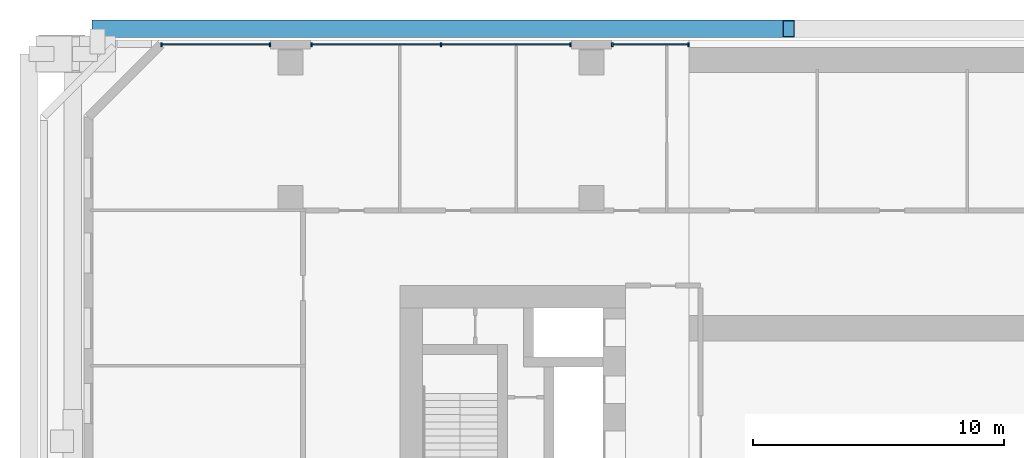
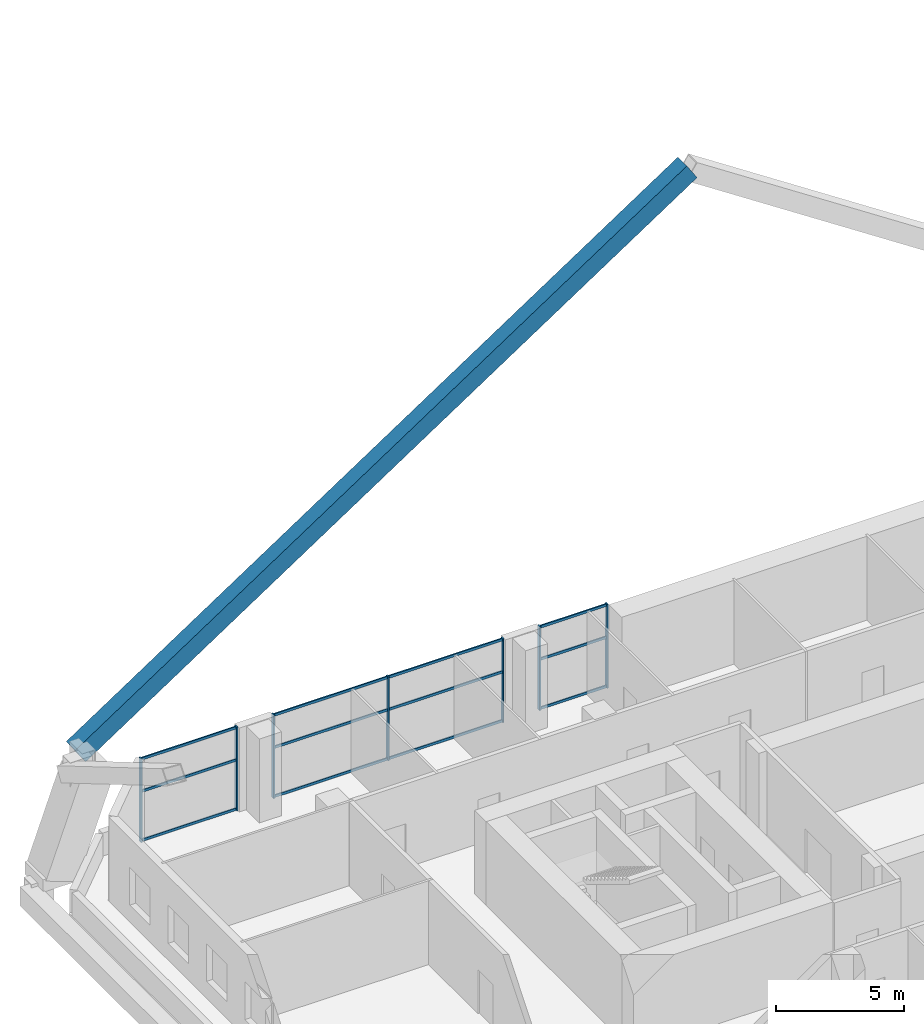
# One storey, part 7 of 25: 20 members, 3 elements without a shape of their own.
"""IFC4 building model written with IfcOpenShell, lengths in metres."""

from ifc_helpers import new_model, si_unit, direction, frame, origin, origin_2d, place, context, subcontext, project, spatial, rectangle, hollow_rectangle, extrude, material, material_profile, profile_set, type_object, element, aggregate, save


model = new_model("IFC4")

# Units and contexts
model_context = context("Model", 3, precision=1e-05, world=origin(), true_north=direction((0.0, 1.0)))
body_context = subcontext(model_context, "Body", "Model", "MODEL_VIEW")
ifc_project = project(units=[si_unit("LENGTHUNIT", "METRE"), si_unit("AREAUNIT", "SQUARE_METRE"), si_unit("VOLUMEUNIT", "CUBIC_METRE"), si_unit("PLANEANGLEUNIT", "RADIAN"), si_unit("MASSUNIT", "GRAM", prefix="KILO")], contexts=[model_context])

# Site, building, storey
site_placement = place(None, origin())
site = spatial("IfcSite", under=ifc_project, at=site_placement, CompositionType="ELEMENT")
building_placement = place(site_placement, origin())
building = spatial("IfcBuilding", under=site, at=building_placement, Name="Tuart Gate Housing", CompositionType="ELEMENT")
storey_placement = place(building_placement, frame((0.0, 0.0, 14.699951171875)))
storey = spatial("IfcBuildingStorey", under=building, at=storey_placement, Name="L03", CompositionType="ELEMENT", Elevation=14.699951171875)

# Member
ifc_material_1 = material(Name="Steel Grade 350", Category="steel")
ifc_material_profile_1 = material_profile(ifc_material_1, hollow_rectangle(XDim=0.699951171875, YDim=0.85009765625, WallThickness=0.0419921875, at=origin_2d()), Name="BOX 850x700x42")
ifc_profile_set_1 = profile_set([ifc_material_profile_1], Name="Steel Grade 350")
member_type_1 = type_object("IfcMemberType", Name="Mega brace BOX 850x700x42", PredefinedType="BRACE", material=ifc_profile_set_1)
member_1_placement = place(storey_placement, frame((20.300048828125, 86.449951171875, 4.800048828125), z_axis=(0.83460268013, 0.0, 0.550852399759), x_axis=(0.0, 1.0, 0.0)))
element("IfcMember", 1, at=member_1_placement, inside=storey, type_object=member_type_1, Name="Mega brace A zone 1 north chevron 1", PredefinedType="BRACE", context=body_context, shape_type="SweptSolid", body=[
    extrude(hollow_rectangle(XDim=0.699951171875, YDim=0.85009765625, WallThickness=0.0419921875, at=origin_2d()), origin(), (0.0, 0.0, 1.0), 33.03955078125),
])

# Curtain wall, members
ifc_material_2 = material(Name="Aluminium and clear glass", Category="aluminium")
curtain_wall_type = type_object("IfcCurtainWallType", Name="Community floor glazing", PredefinedType="USERDEFINED", material=ifc_material_2)
curtain_wall_1_placement = place(storey_placement, origin())
curtain_wall_1 = element("IfcCurtainWall", 2, at=curtain_wall_1_placement, inside=storey, type_object=curtain_wall_type, Name="Community floor glazing A-N L03", ObjectType="COMMUNITY FLOOR GLAZING", PredefinedType="USERDEFINED")
ifc_material_3 = material(Name="Anodised aluminium", Category="aluminium")
ifc_material_profile_2 = material_profile(ifc_material_3, rectangle(XDim=0.06005859375, YDim=0.159912109375, at=origin_2d()), Name="60x160")
ifc_profile_set_2 = profile_set([ifc_material_profile_2], Name="Anodised aluminium")
member_type_2 = type_object("IfcMemberType", Name="Mullion 60 x 160", PredefinedType="MULLION", material=ifc_profile_set_2)
member_2_placement = place(storey_placement, frame((43.8701171875, 85.820068359375, 0.0), z_axis=(0.0, 0.0, 1.0), x_axis=(-1.0, 0.0, 0.0)))
member_2 = element("IfcMember", 3, at=member_2_placement, type_object=member_type_2, Name="CW3 mullion 1", PredefinedType="MULLION", context=body_context, shape_type="SweptSolid", body=[
    extrude(rectangle(XDim=0.06005859375, YDim=0.159912109375, at=origin_2d()), origin(), (0.0, 0.0, 1.0), 4.0),
])
member_3_placement = place(storey_placement, frame((40.830078125, 85.820068359375, 0.0), z_axis=(0.0, 0.0, 1.0), x_axis=(-1.0, 0.0, 0.0)))
member_3 = element("IfcMember", 4, at=member_3_placement, type_object=member_type_2, Name="CW3 mullion 2", PredefinedType="MULLION", context=body_context, shape_type="SweptSolid", body=[
    extrude(rectangle(XDim=0.06005859375, YDim=0.159912109375, at=origin_2d()), origin(), (0.0, 0.0, 1.0), 4.0),
])

curtain_wall_2_placement = place(storey_placement, origin())
curtain_wall_2 = element("IfcCurtainWall", 5, at=curtain_wall_2_placement, inside=storey, type_object=curtain_wall_type, Name="Community floor glazing A-N L03", ObjectType="COMMUNITY FLOOR GLAZING", PredefinedType="USERDEFINED")
member_4_placement = place(storey_placement, frame((39.169921875, 85.820068359375, 0.0), z_axis=(0.0, 0.0, 1.0), x_axis=(-1.0, 0.0, 0.0)))
member_4 = element("IfcMember", 6, at=member_4_placement, type_object=member_type_2, Name="CW3 mullion 1", PredefinedType="MULLION", context=body_context, shape_type="SweptSolid", body=[
    extrude(rectangle(XDim=0.06005859375, YDim=0.159912109375, at=origin_2d()), origin(), (0.0, 0.0, 1.0), 4.0),
])
member_5_placement = place(storey_placement, frame((34.0, 85.820068359375, 0.0), z_axis=(0.0, 0.0, 1.0), x_axis=(-1.0, 0.0, 0.0)))
member_5 = element("IfcMember", 7, at=member_5_placement, type_object=member_type_2, Name="CW3 mullion 2", PredefinedType="MULLION", context=body_context, shape_type="SweptSolid", body=[
    extrude(rectangle(XDim=0.06005859375, YDim=0.159912109375, at=origin_2d()), origin(), (0.0, 0.0, 1.0), 4.0),
])
member_6_placement = place(storey_placement, frame((28.830078125, 85.820068359375, 0.0), z_axis=(0.0, 0.0, 1.0), x_axis=(-1.0, 0.0, 0.0)))
member_6 = element("IfcMember", 8, at=member_6_placement, type_object=member_type_2, Name="CW3 mullion 3", PredefinedType="MULLION", context=body_context, shape_type="SweptSolid", body=[
    extrude(rectangle(XDim=0.06005859375, YDim=0.159912109375, at=origin_2d()), origin(), (0.0, 0.0, 1.0), 4.0),
])

curtain_wall_3_placement = place(storey_placement, origin())
curtain_wall_3 = element("IfcCurtainWall", 9, at=curtain_wall_3_placement, inside=storey, type_object=curtain_wall_type, Name="Community floor glazing A-N L03", ObjectType="COMMUNITY FLOOR GLAZING", PredefinedType="USERDEFINED")
member_7_placement = place(storey_placement, frame((27.169921875, 85.820068359375, 0.0), z_axis=(0.0, 0.0, 1.0), x_axis=(-1.0, 0.0, 0.0)))
member_7 = element("IfcMember", 10, at=member_7_placement, type_object=member_type_2, Name="CW3 mullion 1", PredefinedType="MULLION", context=body_context, shape_type="SweptSolid", body=[
    extrude(rectangle(XDim=0.06005859375, YDim=0.159912109375, at=origin_2d()), origin(), (0.0, 0.0, 1.0), 4.0),
])
member_8_placement = place(storey_placement, frame((22.8544921875, 85.820068359375, 0.0), z_axis=(0.0, 0.0, 1.0), x_axis=(-1.0, 0.0, 0.0)))
member_8 = element("IfcMember", 11, at=member_8_placement, type_object=member_type_2, Name="CW3 mullion 2", PredefinedType="MULLION", context=body_context, shape_type="SweptSolid", body=[
    extrude(rectangle(XDim=0.06005859375, YDim=0.159912109375, at=origin_2d()), origin(), (0.0, 0.0, 1.0), 4.0),
])

# Member
ifc_material_4 = material(Name="Anodised aluminium", Category="aluminium")
ifc_material_profile_3 = material_profile(ifc_material_4, rectangle(XDim=0.06005859375, YDim=0.1201171875, at=origin_2d()), Name="60x120")
ifc_profile_set_3 = profile_set([ifc_material_profile_3], Name="Anodised aluminium")
member_type_3 = type_object("IfcMemberType", Name="Transom 60 x 120", PredefinedType="USERDEFINED", material=ifc_profile_set_3)
member_9_placement = place(storey_placement, frame((43.840087890625, 85.820068359375, 0.06005859375), z_axis=(-1.0, 0.0, 0.0), x_axis=(0.0, -1.0, 0.0)))
member_9 = element("IfcMember", 12, at=member_9_placement, type_object=member_type_3, Name="CW3 transom 1.1", ObjectType="TRANSOM", PredefinedType="USERDEFINED", context=body_context, shape_type="SweptSolid", body=[
    extrude(rectangle(XDim=0.06005859375, YDim=0.1201171875, at=origin_2d()), origin(), (0.0, 0.0, 1.0), 2.97998046875),
])

member_10_placement = place(storey_placement, frame((43.840087890625, 85.820068359375, 2.400146484375), z_axis=(-1.0, 0.0, 0.0), x_axis=(0.0, -1.0, 0.0)))
member_10 = element("IfcMember", 13, at=member_10_placement, type_object=member_type_3, Name="CW3 transom 1.2", ObjectType="TRANSOM", PredefinedType="USERDEFINED", context=body_context, shape_type="SweptSolid", body=[
    extrude(rectangle(XDim=0.06005859375, YDim=0.1201171875, at=origin_2d()), origin(), (0.0, 0.0, 1.0), 2.97998046875),
])

member_11_placement = place(storey_placement, frame((43.840087890625, 85.820068359375, 3.93994140625), z_axis=(-1.0, 0.0, 0.0), x_axis=(0.0, -1.0, 0.0)))
member_11 = element("IfcMember", 14, at=member_11_placement, type_object=member_type_3, Name="CW3 transom 1.3", ObjectType="TRANSOM", PredefinedType="USERDEFINED", context=body_context, shape_type="SweptSolid", body=[
    extrude(rectangle(XDim=0.06005859375, YDim=0.1201171875, at=origin_2d()), origin(), (0.0, 0.0, 1.0), 2.97998046875),
])

aggregate(curtain_wall_1, [member_2, member_3, member_9, member_10, member_11])

member_12_placement = place(storey_placement, frame((39.139892578125, 85.820068359375, 0.06005859375), z_axis=(-1.0, 0.0, 0.0), x_axis=(0.0, -1.0, 0.0)))
member_12 = element("IfcMember", 15, at=member_12_placement, type_object=member_type_3, Name="CW3 transom 1.1", ObjectType="TRANSOM", PredefinedType="USERDEFINED", context=body_context, shape_type="SweptSolid", body=[
    extrude(rectangle(XDim=0.06005859375, YDim=0.1201171875, at=origin_2d()), origin(), (0.0, 0.0, 1.0), 5.10986328125),
])

member_13_placement = place(storey_placement, frame((39.139892578125, 85.820068359375, 2.400146484375), z_axis=(-1.0, 0.0, 0.0), x_axis=(0.0, -1.0, 0.0)))
member_13 = element("IfcMember", 16, at=member_13_placement, type_object=member_type_3, Name="CW3 transom 1.2", ObjectType="TRANSOM", PredefinedType="USERDEFINED", context=body_context, shape_type="SweptSolid", body=[
    extrude(rectangle(XDim=0.06005859375, YDim=0.1201171875, at=origin_2d()), origin(), (0.0, 0.0, 1.0), 5.10986328125),
])

member_14_placement = place(storey_placement, frame((39.139892578125, 85.820068359375, 3.93994140625), z_axis=(-1.0, 0.0, 0.0), x_axis=(0.0, -1.0, 0.0)))
member_14 = element("IfcMember", 17, at=member_14_placement, type_object=member_type_3, Name="CW3 transom 1.3", ObjectType="TRANSOM", PredefinedType="USERDEFINED", context=body_context, shape_type="SweptSolid", body=[
    extrude(rectangle(XDim=0.06005859375, YDim=0.1201171875, at=origin_2d()), origin(), (0.0, 0.0, 1.0), 5.10986328125),
])

member_15_placement = place(storey_placement, frame((33.969970703125, 85.820068359375, 0.06005859375), z_axis=(-1.0, 0.0, 0.0), x_axis=(0.0, -1.0, 0.0)))
member_15 = element("IfcMember", 18, at=member_15_placement, type_object=member_type_3, Name="CW3 transom 2.1", ObjectType="TRANSOM", PredefinedType="USERDEFINED", context=body_context, shape_type="SweptSolid", body=[
    extrude(rectangle(XDim=0.06005859375, YDim=0.1201171875, at=origin_2d()), origin(), (0.0, 0.0, 1.0), 5.10986328125),
])

member_16_placement = place(storey_placement, frame((33.969970703125, 85.820068359375, 2.400146484375), z_axis=(-1.0, 0.0, 0.0), x_axis=(0.0, -1.0, 0.0)))
member_16 = element("IfcMember", 19, at=member_16_placement, type_object=member_type_3, Name="CW3 transom 2.2", ObjectType="TRANSOM", PredefinedType="USERDEFINED", context=body_context, shape_type="SweptSolid", body=[
    extrude(rectangle(XDim=0.06005859375, YDim=0.1201171875, at=origin_2d()), origin(), (0.0, 0.0, 1.0), 5.10986328125),
])

member_17_placement = place(storey_placement, frame((33.969970703125, 85.820068359375, 3.93994140625), z_axis=(-1.0, 0.0, 0.0), x_axis=(0.0, -1.0, 0.0)))
member_17 = element("IfcMember", 20, at=member_17_placement, type_object=member_type_3, Name="CW3 transom 2.3", ObjectType="TRANSOM", PredefinedType="USERDEFINED", context=body_context, shape_type="SweptSolid", body=[
    extrude(rectangle(XDim=0.06005859375, YDim=0.1201171875, at=origin_2d()), origin(), (0.0, 0.0, 1.0), 5.10986328125),
])

aggregate(curtain_wall_2, [member_4, member_5, member_6, member_12, member_13, member_14, member_15, member_16, member_17])

member_18_placement = place(storey_placement, frame((27.139892578125, 85.820068359375, 0.06005859375), z_axis=(-1.0, 0.0, 0.0), x_axis=(0.0, -1.0, 0.0)))
member_18 = element("IfcMember", 21, at=member_18_placement, type_object=member_type_3, Name="CW3 transom 1.1", ObjectType="TRANSOM", PredefinedType="USERDEFINED", context=body_context, shape_type="SweptSolid", body=[
    extrude(rectangle(XDim=0.06005859375, YDim=0.1201171875, at=origin_2d()), origin(), (0.0, 0.0, 1.0), 4.25537109375),
])

member_19_placement = place(storey_placement, frame((27.139892578125, 85.820068359375, 2.400146484375), z_axis=(-1.0, 0.0, 0.0), x_axis=(0.0, -1.0, 0.0)))
member_19 = element("IfcMember", 22, at=member_19_placement, type_object=member_type_3, Name="CW3 transom 1.2", ObjectType="TRANSOM", PredefinedType="USERDEFINED", context=body_context, shape_type="SweptSolid", body=[
    extrude(rectangle(XDim=0.06005859375, YDim=0.1201171875, at=origin_2d()), origin(), (0.0, 0.0, 1.0), 4.25537109375),
])

member_20_placement = place(storey_placement, frame((27.139892578125, 85.820068359375, 3.93994140625), z_axis=(-1.0, 0.0, 0.0), x_axis=(0.0, -1.0, 0.0)))
member_20 = element("IfcMember", 23, at=member_20_placement, type_object=member_type_3, Name="CW3 transom 1.3", ObjectType="TRANSOM", PredefinedType="USERDEFINED", context=body_context, shape_type="SweptSolid", body=[
    extrude(rectangle(XDim=0.06005859375, YDim=0.1201171875, at=origin_2d()), origin(), (0.0, 0.0, 1.0), 4.25537109375),
])

aggregate(curtain_wall_3, [member_7, member_8, member_18, member_19, member_20])

save(model, "model.ifc")
